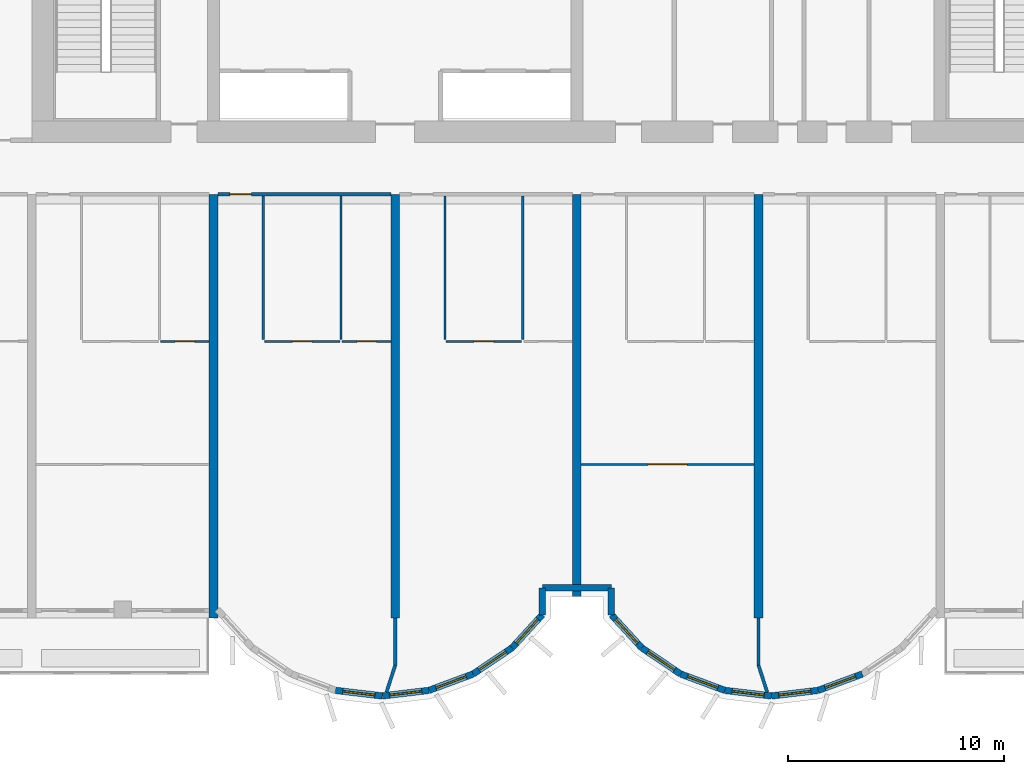
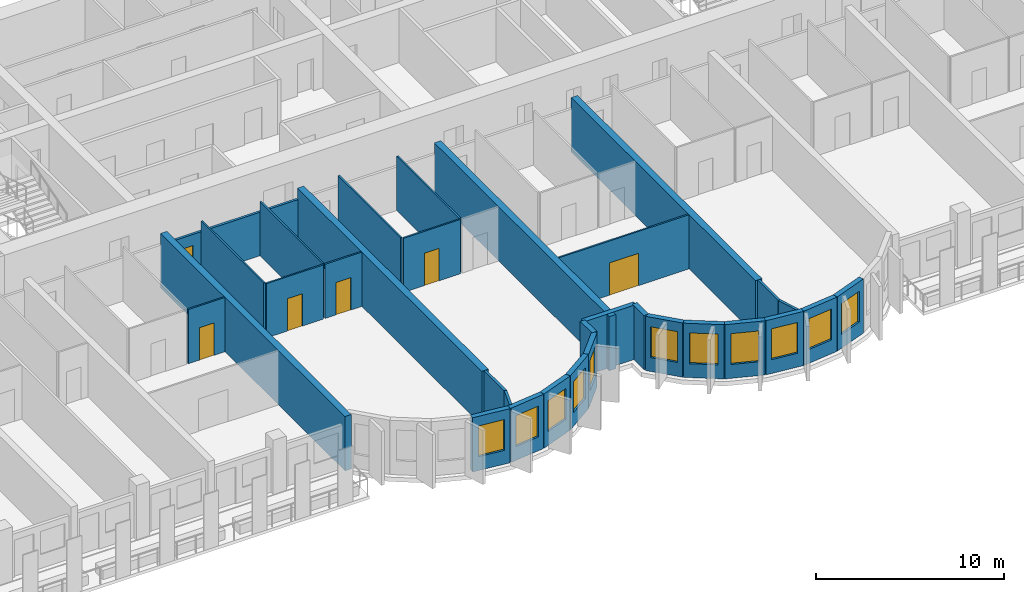
# One storey, part 4 of 15: 32 walls, 11 windows, 6 doors, 17 openings.
"""IFC4 building model written with IfcOpenShell, lengths in metres."""

import ifcopenshell
import ifcopenshell.guid

model = None  # the IFC model being written
_history = None  # IfcOwnerHistory: only IFC2X3 demands one
_inside = {}  # id of a spatial element -> (the spatial element, [elements in it])
_under = {}  # id of a project, library or spatial element -> (it, [spatial elements below it])
_declared = {}  # id of a project -> (the project, [libraries it declares])
_typed = {}  # id of a type object -> (the type object, [elements of that type])
_made_of = {}  # id of a material, layer set ... -> (it, [elements and type objects made of it])


def new_model(schema):
    """Start an empty IFC model of exactly this schema.

    Asked for "IFC4X3", IfcOpenShell would pick the latest addendum, in which some entities
    have other attributes; the version numbers below select the first issue.
    IFC2X3 requires an IfcOwnerHistory on every rooted entity: one is made here for all.
    """
    global model, _history
    if schema == "IFC4X3":
        model = ifcopenshell.file(schema_version=(4, 3, 0, 0))
    else:
        model = ifcopenshell.file(schema=schema)
    _inside.clear()
    _under.clear()
    _declared.clear()
    _typed.clear()
    _made_of.clear()
    _history = None
    if model.schema == "IFC2X3":
        org = make("IfcOrganization", Name="unknown")
        user = make(
            "IfcPersonAndOrganization",
            ThePerson=make("IfcPerson", FamilyName="unknown"),
            TheOrganization=org,
        )
        app = make(
            "IfcApplication",
            ApplicationDeveloper=org,
            Version="unknown",
            ApplicationFullName="unknown",
            ApplicationIdentifier="unknown",
        )
        _history = make(
            "IfcOwnerHistory",
            OwningUser=user,
            OwningApplication=app,
            ChangeAction="ADDED",
            CreationDate=0,
        )
    return model


def make(cls, **values):
    """One entity of the class cls with the attributes given. An attribute that is None is left unset."""
    return model.create_entity(
        cls, **{name: value for name, value in values.items() if value is not None}
    )


def rooted(cls, **values):
    """An entity with a GlobalId (a new one), such as an element, a storey or a relation."""
    return make(cls, GlobalId=ifcopenshell.guid.new(), OwnerHistory=_history, **values)


def si_unit(unit_type, name, prefix=None):
    """IfcSIUnit, for example si_unit("LENGTHUNIT", "METRE", prefix="MILLI")."""
    return make("IfcSIUnit", UnitType=unit_type, Prefix=prefix, Name=name)


def assignment(units):
    """IfcUnitAssignment: the units of a project."""
    return None if units is None else make("IfcUnitAssignment", Units=units)


def point(xyz):
    """IfcCartesianPoint."""
    return None if xyz is None else make("IfcCartesianPoint", Coordinates=xyz)


def direction(xyz):
    """IfcDirection."""
    return None if xyz is None else make("IfcDirection", DirectionRatios=xyz)


def frame(location, z_axis=None, x_axis=None):
    """IfcAxis2Placement3D, a coordinate frame: its origin and axes. An axis left out is left unset."""
    return make(
        "IfcAxis2Placement3D",
        Location=point(location),
        Axis=direction(z_axis),
        RefDirection=direction(x_axis),
    )


def frame_2d(location, x_axis=None):
    """IfcAxis2Placement2D, a coordinate frame in the plane: its origin and x axis."""
    return make(
        "IfcAxis2Placement2D", Location=point(location), RefDirection=direction(x_axis)
    )


def origin():
    """The frame at (0, 0, 0) with its axes left unset."""
    return frame((0.0, 0.0, 0.0))


def place(relative_to, where):
    """IfcLocalPlacement: puts the frame where relative to a parent placement (None: the world)."""
    return make(
        "IfcLocalPlacement", PlacementRelTo=relative_to, RelativePlacement=where
    )


def context(
    kind, dimensions, precision=None, world=None, true_north=None, identifier=None
):
    """IfcGeometricRepresentationContext, for example the 3D "Model" context."""
    return make(
        "IfcGeometricRepresentationContext",
        ContextIdentifier=identifier,
        ContextType=kind,
        CoordinateSpaceDimension=dimensions,
        Precision=precision,
        WorldCoordinateSystem=world,
        TrueNorth=true_north,
    )


def subcontext(parent, identifier, kind, view, scale=None):
    """IfcGeometricRepresentationSubContext, for example "Body" below "Model"."""
    return make(
        "IfcGeometricRepresentationSubContext",
        ContextIdentifier=identifier,
        ContextType=kind,
        ParentContext=parent,
        TargetScale=scale,
        TargetView=view,
    )


def project(units=None, contexts=None):
    """IfcProject with its units and contexts."""
    return rooted(
        "IfcProject",
        Name="project",
        RepresentationContexts=contexts,
        UnitsInContext=assignment(units),
    )


def spatial(cls, under=None, at=None, **own):
    """A site, building, storey or space (cls), placed at a placement, below another one or the project."""
    s = rooted(cls, ObjectPlacement=at, **own)
    if under is not None:
        _under.setdefault(under.id(), (under, []))[1].append(s)
    return s


def profile(cls, at=None, kind="AREA", **sizes):
    """A parametric profile (cls). Its sizes go by their IFC names, for example OverallWidth=200.0."""
    return make(cls, ProfileType=kind, Position=at, **sizes)


def rectangle(**sizes):
    """IfcRectangleProfileDef."""
    return profile("IfcRectangleProfileDef", **sizes)


def extrude(swept, where, along, depth):
    """IfcExtrudedAreaSolid: the profile swept, set in the frame where, extruded along a direction by depth."""
    return make(
        "IfcExtrudedAreaSolid",
        SweptArea=swept,
        Position=where,
        ExtrudedDirection=direction(along),
        Depth=depth,
    )


def shape(context_of_items, identifier, shape_type, items):
    """IfcShapeRepresentation: the items that make up one representation, for example the "Body"."""
    return make(
        "IfcShapeRepresentation",
        ContextOfItems=context_of_items,
        RepresentationIdentifier=identifier,
        RepresentationType=shape_type,
        Items=items,
    )


def source(mapping_origin, context_of_items, identifier, shape_type, items):
    """IfcRepresentationMap: a shape defined once, which mapped items show again and again."""
    return make(
        "IfcRepresentationMap",
        MappingOrigin=mapping_origin,
        MappedRepresentation=shape(context_of_items, identifier, shape_type, items),
    )


def transform(
    local_origin,
    x_axis=None,
    y_axis=None,
    z_axis=None,
    scale=None,
    scale2=None,
    scale3=None,
    uniform=True,
):
    """IfcCartesianTransformationOperator3D, or its non-uniform kind. x_axis, y_axis, z_axis: its Axis1, 2, 3."""
    if uniform:
        return make(
            "IfcCartesianTransformationOperator3D",
            Axis1=direction(x_axis),
            Axis2=direction(y_axis),
            LocalOrigin=point(local_origin),
            Scale=scale,
            Axis3=direction(z_axis),
        )
    return make(
        "IfcCartesianTransformationOperator3DnonUniform",
        Axis1=direction(x_axis),
        Axis2=direction(y_axis),
        LocalOrigin=point(local_origin),
        Scale=scale,
        Axis3=direction(z_axis),
        Scale2=scale2,
        Scale3=scale3,
    )


def mapped(mapping_source, mapping_target):
    """IfcMappedItem: shows the shape of a source again, moved by a transform."""
    return make(
        "IfcMappedItem", MappingSource=mapping_source, MappingTarget=mapping_target
    )


def material(Name=None, Category=None):
    """IfcMaterial."""
    return make("IfcMaterial", Name=Name, Category=Category)


def layer(
    of_material, thickness, ventilated=None, Name=None, Category=None, Priority=None
):
    """IfcMaterialLayer: one layer of a wall or slab, of a material (None: an air gap)."""
    return make(
        "IfcMaterialLayer",
        Material=of_material,
        LayerThickness=thickness,
        IsVentilated=ventilated,
        Name=Name,
        Category=Category,
        Priority=Priority,
    )


def layer_set(layers, Name=None):
    """IfcMaterialLayerSet."""
    return make("IfcMaterialLayerSet", MaterialLayers=layers, LayerSetName=Name)


def made_of(thing, what):
    """Note that an element or type object is made of a material, layer set ...; save() writes the relation."""
    if what is not None:
        _made_of.setdefault(what.id(), (what, []))[1].append(thing)
    return thing


def type_object(cls, material=None, **own):
    """A type object (cls), such as IfcWallType, which elements share."""
    return made_of(rooted(cls, **own), material)


def element(
    cls,
    number,
    at=None,
    inside=None,
    cuts=None,
    type_object=None,
    material=None,
    context=None,
    identifier="Body",
    shape_type=None,
    held_by="IfcProductDefinitionShape",
    body=None,
    shapes=None,
    **own,
):
    """One element of the class cls, such as IfcWall. Its Tag is "e" and its number.

    at: its placement. inside: the storey or other place that contains it. cuts: it is an
    opening in that element (IfcRelVoidsElement). A single representation is given by context,
    identifier, shape_type and body (its items); several are given by shapes. held_by: the class
    of the entity that holds the representations. save() writes the other relations.
    """
    e = rooted(cls, Tag="e%d" % number, ObjectPlacement=at, **own)
    if body is not None:
        shapes = [shape(context, identifier, shape_type, body)]
    if shapes is not None:
        e.Representation = make(held_by, Representations=shapes)
    if inside is not None:
        _inside.setdefault(inside.id(), (inside, []))[1].append(e)
    if cuts is not None:
        rooted(
            "IfcRelVoidsElement", RelatingBuildingElement=cuts, RelatedOpeningElement=e
        )
    if type_object is not None:
        _typed.setdefault(type_object.id(), (type_object, []))[1].append(e)
    return made_of(e, material)


def fill(opening, filler):
    """IfcRelFillsElement: the door or window that sits in an opening."""
    return rooted(
        "IfcRelFillsElement",
        RelatingOpeningElement=opening,
        RelatedBuildingElement=filler,
    )


def aggregate(whole, parts):
    """IfcRelAggregates: a whole, such as a stair, and the parts it consists of."""
    return rooted("IfcRelAggregates", RelatingObject=whole, RelatedObjects=parts)


def save(model, path):
    """Write the relations noted so far, then the file.

    IfcRelAggregates (storeys below a building ...), IfcRelContainedInSpatialStructure (elements
    in a storey), IfcRelDefinesByType, IfcRelAssociatesMaterial and IfcRelDeclares: one each for
    every whole, place, type object, material and project.
    """
    for whole, parts in _under.values():
        aggregate(whole, parts)
    for where, things in _inside.values():
        rooted(
            "IfcRelContainedInSpatialStructure",
            RelatedElements=things,
            RelatingStructure=where,
        )
    for kind, things in _typed.values():
        rooted("IfcRelDefinesByType", RelatedObjects=things, RelatingType=kind)
    for what, things in _made_of.values():
        rooted("IfcRelAssociatesMaterial", RelatedObjects=things, RelatingMaterial=what)
    for by, libraries in _declared.values():
        rooted("IfcRelDeclares", RelatingContext=by, RelatedDefinitions=libraries)
    model.write(path)


model = new_model("IFC4")

# Units and contexts
model_context = context("Model", 3, precision=1e-05, world=origin(), true_north=direction((0.0, 1.0)))
body_context = subcontext(model_context, "Body", "Model", "MODEL_VIEW")
ifc_project = project(units=[si_unit("LENGTHUNIT", "METRE"), si_unit("AREAUNIT", "SQUARE_METRE"), si_unit("VOLUMEUNIT", "CUBIC_METRE"), si_unit("PLANEANGLEUNIT", "RADIAN"), si_unit("MASSUNIT", "GRAM", prefix="KILO")], contexts=[model_context])

# Site, building, storey
site_placement = place(None, origin())
site = spatial("IfcSite", under=ifc_project, at=site_placement, CompositionType="ELEMENT")
building_placement = place(site_placement, origin())
building = spatial("IfcBuilding", under=site, at=building_placement, Name="Vanashikhar Sky Hotel", CompositionType="ELEMENT")
storey_placement = place(building_placement, frame((0.0, 0.0, 62.0)))
storey = spatial("IfcBuildingStorey", under=building, at=storey_placement, Name="L14", CompositionType="ELEMENT", Elevation=62.0)

# Walls
ifc_material_1 = material(Name="Concrete M80", Category="concrete")
ifc_layer_1 = layer(ifc_material_1, 0.39990234375)
ifc_layer_set_1 = layer_set([ifc_layer_1], Name="RC shear wall 400 Concrete M80")
wall_type_1 = type_object("IfcWallType", Name="RC shear wall 400 Concrete M80", PredefinedType="SHEAR", material=ifc_layer_set_1)
shared_shape_1 = source(origin(), body_context, "Body", "SweptSolid", [
    extrude(rectangle(XDim=19.60009765625, YDim=0.39990234375, at=frame_2d((9.800048828125, 0.0))), origin(), (0.0, 0.0, 1.0), 3.52001953125),
])
for number, where, z_axis, x_axis, name in (
    (1, (33.60009765625, 0.0, 0.0), (0.0, 0.0, 1.0), (0.0, 1.0, 0.0), "CW-L14-XW05-1"),
    (2, (42.0, 0.0, 0.0), (0.0, 0.0, 1.0), (0.0, 1.0, 0.0), "CW-L14-XW06-1"),
    (3, (58.800048828125, 0.0, 0.0), (0.0, 0.0, 1.0), (0.0, 1.0, 0.0), "CW-L14-XW08-1"),
):
    element("IfcWall", number, at=place(storey_placement, frame(where, z_axis=z_axis, x_axis=x_axis)), inside=storey, type_object=wall_type_1, Name=name, PredefinedType="SHEAR", context=body_context, shape_type="MappedRepresentation", body=[
        mapped(shared_shape_1, transform((0.0, 0.0, 0.0), scale=1.0)),
    ])
shared_shape_2 = source(origin(), body_context, "Body", "SweptSolid", [
    extrude(rectangle(XDim=18.60009765625, YDim=0.39990234375, at=frame_2d((9.300048828125, 0.0))), origin(), (0.0, 0.0, 1.0), 3.52001953125),
])
wall_1_placement = place(storey_placement, frame((50.39990234375, 1.0, 0.0), z_axis=(0.0, 0.0, 1.0), x_axis=(0.0, 1.0, 0.0)))
element("IfcWall", 4, at=wall_1_placement, inside=storey, type_object=wall_type_1, Name="CW-L14-XW07-1", PredefinedType="SHEAR", context=body_context, shape_type="MappedRepresentation", body=[
    mapped(shared_shape_2, transform((0.0, 0.0, 0.0), scale=1.0)),
])

# Wall, opening, window
ifc_material_2 = material(Name="Concrete M50", Category="concrete")
ifc_layer_2 = layer(ifc_material_2, 0.300048828125)
ifc_layer_set_2 = layer_set([ifc_layer_2], Name="Lobe wall 300")
wall_type_2 = type_object("IfcWallType", Name="Lobe wall 300", PredefinedType="SOLIDWALL", material=ifc_layer_set_2)
shared_shape_3 = source(origin(), body_context, "Body", "SweptSolid", [
    extrude(rectangle(XDim=2.17578125, YDim=0.300048828125, at=frame_2d((1.087890625, 0.0))), origin(), (0.0, 0.0, 1.0), 3.52001953125),
])
wall_2_placement = place(storey_placement, frame((45.59912109375, -2.58349609375, 0.0), z_axis=(0.0, 0.0, 1.0), x_axis=(0.829625727223, 0.558319937607, 0.0)))
wall_2 = element("IfcWall", 5, at=wall_2_placement, inside=storey, type_object=wall_type_2, Name="Lobe wall", PredefinedType="SOLIDWALL", context=body_context, shape_type="MappedRepresentation", body=[
    mapped(shared_shape_3, transform((0.0, 0.0, 0.0), scale=1.0)),
])
shared_shape_4 = source(origin(), body_context, "Body", "SweptSolid", [
    extrude(rectangle(XDim=1.5, YDim=2.0, at=frame_2d((0.75, 1.0))), frame((0.0, 0.16015625, 0.0), z_axis=(0.0, -1.0, 0.0), x_axis=(1.0, 0.0, 0.0)), (0.0, 0.0, 1.0), 0.320068359375),
])
opening_1_placement = place(wall_2_placement, frame((0.337890625, 0.0, 0.89990234375)))
opening_1 = element("IfcOpeningElement", 6, at=opening_1_placement, cuts=wall_2, Name="Opening WN-2", PredefinedType="OPENING", context=body_context, shape_type="MappedRepresentation", body=[
    mapped(shared_shape_4, transform((0.0, 0.0, 0.0), scale=1.0)),
])
ifc_material_3 = material(Name="Glass", Category="glass")
window_type = type_object("IfcWindowType", Name="Lobe window 1500 x 2000", PartitioningType="SINGLE_PANEL", PredefinedType="WINDOW", material=ifc_material_3)
shared_shape_5 = source(origin(), body_context, "Body", "SweptSolid", [
    extrude(rectangle(XDim=1.5, YDim=2.0, at=frame_2d((0.75, 1.0))), frame((0.0, 0.030029296875, 0.0), z_axis=(0.0, -1.0, 0.0), x_axis=(1.0, 0.0, 0.0)), (0.0, 0.0, 1.0), 0.06005859375),
])
window_1_placement = place(opening_1_placement, origin())
window_1 = element("IfcWindow", 7, at=window_1_placement, inside=storey, type_object=window_type, Name="Window WN-2", OverallHeight=2.0, OverallWidth=1.5, PartitioningType="SINGLE_PANEL", PredefinedType="WINDOW", context=body_context, shape_type="MappedRepresentation", body=[
    mapped(shared_shape_5, transform((0.0, 0.0, 0.0), scale=1.0)),
])
fill(opening_1, window_1)

wall_3_placement = place(storey_placement, frame((53.395751953125, -1.36865234375, 0.0), z_axis=(0.0, 0.0, 1.0), x_axis=(0.829590746428, -0.558371913192, 0.0)))
wall_3 = element("IfcWall", 8, at=wall_3_placement, inside=storey, type_object=wall_type_2, Name="Lobe wall", PredefinedType="SOLIDWALL", context=body_context, shape_type="MappedRepresentation", body=[
    mapped(shared_shape_3, transform((0.0, 0.0, 0.0), scale=1.0)),
])
opening_2_placement = place(wall_3_placement, frame((0.337890625, 0.0, 0.89990234375)))
opening_2 = element("IfcOpeningElement", 9, at=opening_2_placement, cuts=wall_3, Name="Opening WN-2", PredefinedType="OPENING", context=body_context, shape_type="MappedRepresentation", body=[
    mapped(shared_shape_4, transform((0.0, 0.0, 0.0), scale=1.0)),
])
window_2_placement = place(opening_2_placement, origin())
window_2 = element("IfcWindow", 10, at=window_2_placement, inside=storey, type_object=window_type, Name="Window WN-2", OverallHeight=2.0, OverallWidth=1.5, PartitioningType="SINGLE_PANEL", PredefinedType="WINDOW", context=body_context, shape_type="MappedRepresentation", body=[
    mapped(shared_shape_5, transform((0.0, 0.0, 0.0), scale=1.0)),
])
fill(opening_2, window_2)

wall_4_placement = place(storey_placement, frame((55.20068359375, -2.58349609375, 0.0), z_axis=(0.0, 0.0, 1.0), x_axis=(0.93754555999, -0.347862505801, 0.0)))
wall_4 = element("IfcWall", 11, at=wall_4_placement, inside=storey, type_object=wall_type_2, Name="Lobe wall", PredefinedType="SOLIDWALL", context=body_context, shape_type="MappedRepresentation", body=[
    mapped(shared_shape_3, transform((0.0, 0.0, 0.0), scale=1.0)),
])
opening_3_placement = place(wall_4_placement, frame((0.337890625, 0.0, 0.89990234375)))
opening_3 = element("IfcOpeningElement", 12, at=opening_3_placement, cuts=wall_4, Name="Opening WN-2", PredefinedType="OPENING", context=body_context, shape_type="MappedRepresentation", body=[
    mapped(shared_shape_4, transform((0.0, 0.0, 0.0), scale=1.0)),
])
window_3_placement = place(opening_3_placement, origin())
window_3 = element("IfcWindow", 13, at=window_3_placement, inside=storey, type_object=window_type, Name="Window WN-2", OverallHeight=2.0, OverallWidth=1.5, PartitioningType="SINGLE_PANEL", PredefinedType="WINDOW", context=body_context, shape_type="MappedRepresentation", body=[
    mapped(shared_shape_5, transform((0.0, 0.0, 0.0), scale=1.0)),
])
fill(opening_3, window_3)

shared_shape_6 = source(origin(), body_context, "Body", "SweptSolid", [
    extrude(rectangle(XDim=2.174560546875, YDim=0.300048828125, at=frame_2d((1.08740234375, 0.0))), origin(), (0.0, 0.0, 1.0), 3.52001953125),
])
wall_5_placement = place(storey_placement, frame((39.240478515625, -3.34033203125, 0.0), z_axis=(0.0, 0.0, 1.0), x_axis=(0.993001132889, -0.118104826659, 0.0)))
wall_5 = element("IfcWall", 14, at=wall_5_placement, inside=storey, type_object=wall_type_2, Name="Lobe wall", PredefinedType="SOLIDWALL", context=body_context, shape_type="MappedRepresentation", body=[
    mapped(shared_shape_6, transform((0.0, 0.0, 0.0), scale=1.0)),
])
opening_4_placement = place(wall_5_placement, frame((0.33740234375, 0.0, 0.89990234375)))
opening_4 = element("IfcOpeningElement", 15, at=opening_4_placement, cuts=wall_5, Name="Opening WN-2", PredefinedType="OPENING", context=body_context, shape_type="MappedRepresentation", body=[
    mapped(shared_shape_4, transform((0.0, 0.0, 0.0), scale=1.0)),
])
window_4_placement = place(opening_4_placement, origin())
window_4 = element("IfcWindow", 16, at=window_4_placement, inside=storey, type_object=window_type, Name="Window WN-2", OverallHeight=2.0, OverallWidth=1.5, PartitioningType="SINGLE_PANEL", PredefinedType="WINDOW", context=body_context, shape_type="MappedRepresentation", body=[
    mapped(shared_shape_5, transform((0.0, 0.0, 0.0), scale=1.0)),
])
fill(opening_4, window_4)

wall_6_placement = place(storey_placement, frame((57.240478515625, -3.34033203125, 0.0), z_axis=(0.0, 0.0, 1.0), x_axis=(0.993001132889, -0.118104826659, 0.0)))
wall_6 = element("IfcWall", 17, at=wall_6_placement, inside=storey, type_object=wall_type_2, Name="Lobe wall", PredefinedType="SOLIDWALL", context=body_context, shape_type="MappedRepresentation", body=[
    mapped(shared_shape_6, transform((0.0, 0.0, 0.0), scale=1.0)),
])
opening_5_placement = place(wall_6_placement, frame((0.33740234375, 0.0, 0.89990234375)))
opening_5 = element("IfcOpeningElement", 18, at=opening_5_placement, cuts=wall_6, Name="Opening WN-2", PredefinedType="OPENING", context=body_context, shape_type="MappedRepresentation", body=[
    mapped(shared_shape_4, transform((0.0, 0.0, 0.0), scale=1.0)),
])
window_5_placement = place(opening_5_placement, origin())
window_5 = element("IfcWindow", 19, at=window_5_placement, inside=storey, type_object=window_type, Name="Window WN-2", OverallHeight=2.0, OverallWidth=1.5, PartitioningType="SINGLE_PANEL", PredefinedType="WINDOW", context=body_context, shape_type="MappedRepresentation", body=[
    mapped(shared_shape_5, transform((0.0, 0.0, 0.0), scale=1.0)),
])
fill(opening_5, window_5)

shared_shape_7 = source(origin(), body_context, "Body", "SweptSolid", [
    extrude(rectangle(XDim=2.1748046875, YDim=0.300048828125, at=frame_2d((1.08740234375, 0.0))), origin(), (0.0, 0.0, 1.0), 3.52001953125),
])
wall_7_placement = place(storey_placement, frame((41.39990234375, -3.59716796875, 0.0), z_axis=(0.0, 0.0, 1.0), x_axis=(0.993002698611, 0.118091661648, 0.0)))
wall_7 = element("IfcWall", 20, at=wall_7_placement, inside=storey, type_object=wall_type_2, Name="Lobe wall", PredefinedType="SOLIDWALL", context=body_context, shape_type="MappedRepresentation", body=[
    mapped(shared_shape_7, transform((0.0, 0.0, 0.0), scale=1.0)),
])
opening_6_placement = place(wall_7_placement, frame((0.33740234375, 0.0, 0.89990234375)))
opening_6 = element("IfcOpeningElement", 21, at=opening_6_placement, cuts=wall_7, Name="Opening WN-2", PredefinedType="OPENING", context=body_context, shape_type="MappedRepresentation", body=[
    mapped(shared_shape_4, transform((0.0, 0.0, 0.0), scale=1.0)),
])
window_6_placement = place(opening_6_placement, origin())
window_6 = element("IfcWindow", 22, at=window_6_placement, inside=storey, type_object=window_type, Name="Window WN-2", OverallHeight=2.0, OverallWidth=1.5, PartitioningType="SINGLE_PANEL", PredefinedType="WINDOW", context=body_context, shape_type="MappedRepresentation", body=[
    mapped(shared_shape_5, transform((0.0, 0.0, 0.0), scale=1.0)),
])
fill(opening_6, window_6)

wall_8_placement = place(storey_placement, frame((59.39990234375, -3.59716796875, 0.0), z_axis=(0.0, 0.0, 1.0), x_axis=(0.993002698611, 0.118091661648, 0.0)))
wall_8 = element("IfcWall", 23, at=wall_8_placement, inside=storey, type_object=wall_type_2, Name="Lobe wall", PredefinedType="SOLIDWALL", context=body_context, shape_type="MappedRepresentation", body=[
    mapped(shared_shape_7, transform((0.0, 0.0, 0.0), scale=1.0)),
])
opening_7_placement = place(wall_8_placement, frame((0.33740234375, 0.0, 0.89990234375)))
opening_7 = element("IfcOpeningElement", 24, at=opening_7_placement, cuts=wall_8, Name="Opening WN-2", PredefinedType="OPENING", context=body_context, shape_type="MappedRepresentation", body=[
    mapped(shared_shape_4, transform((0.0, 0.0, 0.0), scale=1.0)),
])
window_7_placement = place(opening_7_placement, origin())
window_7 = element("IfcWindow", 25, at=window_7_placement, inside=storey, type_object=window_type, Name="Window WN-2", OverallHeight=2.0, OverallWidth=1.5, PartitioningType="SINGLE_PANEL", PredefinedType="WINDOW", context=body_context, shape_type="MappedRepresentation", body=[
    mapped(shared_shape_5, transform((0.0, 0.0, 0.0), scale=1.0)),
])
fill(opening_7, window_7)

shared_shape_8 = source(origin(), body_context, "Body", "SweptSolid", [
    extrude(rectangle(XDim=2.175537109375, YDim=0.300048828125, at=frame_2d((1.087890625, 0.0))), origin(), (0.0, 0.0, 1.0), 3.52001953125),
])
wall_9_placement = place(storey_placement, frame((43.5595703125, -3.34033203125, 0.0), z_axis=(0.0, 0.0, 1.0), x_axis=(0.937531979054, 0.347899106424, 0.0)))
wall_9 = element("IfcWall", 26, at=wall_9_placement, inside=storey, type_object=wall_type_2, Name="Lobe wall", PredefinedType="SOLIDWALL", context=body_context, shape_type="MappedRepresentation", body=[
    mapped(shared_shape_8, transform((0.0, 0.0, 0.0), scale=1.0)),
])
opening_8_placement = place(wall_9_placement, frame((0.337890625, 0.0, 0.89990234375)))
opening_8 = element("IfcOpeningElement", 27, at=opening_8_placement, cuts=wall_9, Name="Opening WN-2", PredefinedType="OPENING", context=body_context, shape_type="MappedRepresentation", body=[
    mapped(shared_shape_4, transform((0.0, 0.0, 0.0), scale=1.0)),
])
window_8_placement = place(opening_8_placement, origin())
window_8 = element("IfcWindow", 28, at=window_8_placement, inside=storey, type_object=window_type, Name="Window WN-2", OverallHeight=2.0, OverallWidth=1.5, PartitioningType="SINGLE_PANEL", PredefinedType="WINDOW", context=body_context, shape_type="MappedRepresentation", body=[
    mapped(shared_shape_5, transform((0.0, 0.0, 0.0), scale=1.0)),
])
fill(opening_8, window_8)

wall_10_placement = place(storey_placement, frame((61.5595703125, -3.34033203125, 0.0), z_axis=(0.0, 0.0, 1.0), x_axis=(0.937531979054, 0.347899106424, 0.0)))
wall_10 = element("IfcWall", 29, at=wall_10_placement, inside=storey, type_object=wall_type_2, Name="Lobe wall", PredefinedType="SOLIDWALL", context=body_context, shape_type="MappedRepresentation", body=[
    mapped(shared_shape_8, transform((0.0, 0.0, 0.0), scale=1.0)),
])
opening_9_placement = place(wall_10_placement, frame((0.337890625, 0.0, 0.89990234375)))
opening_9 = element("IfcOpeningElement", 30, at=opening_9_placement, cuts=wall_10, Name="Opening WN-2", PredefinedType="OPENING", context=body_context, shape_type="MappedRepresentation", body=[
    mapped(shared_shape_4, transform((0.0, 0.0, 0.0), scale=1.0)),
])
window_9_placement = place(opening_9_placement, origin())
window_9 = element("IfcWindow", 31, at=window_9_placement, inside=storey, type_object=window_type, Name="Window WN-2", OverallHeight=2.0, OverallWidth=1.5, PartitioningType="SINGLE_PANEL", PredefinedType="WINDOW", context=body_context, shape_type="MappedRepresentation", body=[
    mapped(shared_shape_5, transform((0.0, 0.0, 0.0), scale=1.0)),
])
fill(opening_9, window_9)

shared_shape_9 = source(origin(), body_context, "Body", "SweptSolid", [
    extrude(rectangle(XDim=2.066650390625, YDim=0.300048828125, at=frame_2d((1.033203125, 0.0))), origin(), (0.0, 0.0, 1.0), 3.52001953125),
])
wall_11_placement = place(storey_placement, frame((47.404296875, -1.36865234375, 0.0), z_axis=(0.0, 0.0, 1.0), x_axis=(0.675355439877, 0.737492393065, 0.0)))
wall_11 = element("IfcWall", 32, at=wall_11_placement, inside=storey, type_object=wall_type_2, Name="Lobe wall", PredefinedType="SOLIDWALL", context=body_context, shape_type="MappedRepresentation", body=[
    mapped(shared_shape_9, transform((0.0, 0.0, 0.0), scale=1.0)),
])
opening_10_placement = place(wall_11_placement, frame((0.283447265625, 0.0, 0.89990234375)))
opening_10 = element("IfcOpeningElement", 33, at=opening_10_placement, cuts=wall_11, Name="Opening WN-2", PredefinedType="OPENING", context=body_context, shape_type="MappedRepresentation", body=[
    mapped(shared_shape_4, transform((0.0, 0.0, 0.0), scale=1.0)),
])
window_10_placement = place(opening_10_placement, origin())
window_10 = element("IfcWindow", 34, at=window_10_placement, inside=storey, type_object=window_type, Name="Window WN-2", OverallHeight=2.0, OverallWidth=1.5, PartitioningType="SINGLE_PANEL", PredefinedType="WINDOW", context=body_context, shape_type="MappedRepresentation", body=[
    mapped(shared_shape_5, transform((0.0, 0.0, 0.0), scale=1.0)),
])
fill(opening_10, window_10)

wall_12_placement = place(storey_placement, frame((52.0, 0.155517578125, 0.0), z_axis=(0.0, 0.0, 1.0), x_axis=(0.675355439877, -0.737492393065, 0.0)))
wall_12 = element("IfcWall", 35, at=wall_12_placement, inside=storey, type_object=wall_type_2, Name="Lobe wall", PredefinedType="SOLIDWALL", context=body_context, shape_type="MappedRepresentation", body=[
    mapped(shared_shape_9, transform((0.0, 0.0, 0.0), scale=1.0)),
])
opening_11_placement = place(wall_12_placement, frame((0.283447265625, 0.0, 0.89990234375)))
opening_11 = element("IfcOpeningElement", 36, at=opening_11_placement, cuts=wall_12, Name="Opening WN-2", PredefinedType="OPENING", context=body_context, shape_type="MappedRepresentation", body=[
    mapped(shared_shape_4, transform((0.0, 0.0, 0.0), scale=1.0)),
])
window_11_placement = place(opening_11_placement, origin())
window_11 = element("IfcWindow", 37, at=window_11_placement, inside=storey, type_object=window_type, Name="Window WN-2", OverallHeight=2.0, OverallWidth=1.5, PartitioningType="SINGLE_PANEL", PredefinedType="WINDOW", context=body_context, shape_type="MappedRepresentation", body=[
    mapped(shared_shape_5, transform((0.0, 0.0, 0.0), scale=1.0)),
])
fill(opening_11, window_11)

# Walls
shared_shape_10 = source(origin(), body_context, "Body", "SweptSolid", [
    extrude(rectangle(XDim=1.244384765625, YDim=0.300048828125, at=frame_2d((0.6220703125, 0.0))), origin(), (0.0, 0.0, 1.0), 3.52001953125),
])
for number, where, z_axis, x_axis, name in (
    (38, (48.800048828125, 0.155517578125, 0.0), (0.0, 0.0, 1.0), (0.0, 1.0, 0.0), "Groove wall"),
    (39, (52.0, 1.39990234375, 0.0), (0.0, 0.0, 1.0), (0.0, -1.0, 0.0), "Groove wall"),
):
    element("IfcWall", number, at=place(storey_placement, frame(where, z_axis=z_axis, x_axis=x_axis)), inside=storey, type_object=wall_type_2, Name=name, PredefinedType="SOLIDWALL", context=body_context, shape_type="MappedRepresentation", body=[
        mapped(shared_shape_10, transform((0.0, 0.0, 0.0), scale=1.0)),
    ])
shared_shape_11 = source(origin(), body_context, "Body", "SweptSolid", [
    extrude(rectangle(XDim=3.199951171875, YDim=0.300048828125, at=frame_2d((1.60009765625, 0.0))), origin(), (0.0, 0.0, 1.0), 3.52001953125),
])
wall_13_placement = place(storey_placement, frame((48.800048828125, 1.39990234375, 0.0), z_axis=(0.0, 0.0, 1.0), x_axis=(1.0, 0.0, 0.0)))
element("IfcWall", 40, at=wall_13_placement, inside=storey, type_object=wall_type_2, Name="Groove wall", PredefinedType="SOLIDWALL", context=body_context, shape_type="MappedRepresentation", body=[
    mapped(shared_shape_11, transform((0.0, 0.0, 0.0), scale=1.0)),
])
ifc_material_4 = material(Name="Gypsum plasterboard partition")
ifc_layer_3 = layer(ifc_material_4, 0.14990234375)
ifc_layer_set_3 = layer_set([ifc_layer_3], Name="Corridor and demising partition 150")
wall_type_3 = type_object("IfcWallType", Name="Corridor and demising partition 150", PredefinedType="PARTITIONING", material=ifc_layer_set_3)
shared_shape_12 = source(origin(), body_context, "Body", "SweptSolid", [
    extrude(rectangle(XDim=2.177978515625, YDim=0.14990234375, at=frame_2d((1.0888671875, 0.0))), origin(), (0.0, 0.0, 1.0), 3.52001953125),
])
for number, where, z_axis, x_axis, name in (
    (41, (42.0, -2.177978515625, 0.0), (0.0, 0.0, 1.0), (0.0, 1.0, 0.0), "W-L14-PW068"),
    (42, (58.800048828125, -2.177978515625, 0.0), (0.0, 0.0, 1.0), (0.0, 1.0, 0.0), "W-L14-PW069"),
):
    element("IfcWall", number, at=place(storey_placement, frame(where, z_axis=z_axis, x_axis=x_axis)), inside=storey, type_object=wall_type_3, Name=name, PredefinedType="PARTITIONING", context=body_context, shape_type="MappedRepresentation", body=[
        mapped(shared_shape_12, transform((0.0, 0.0, 0.0), scale=1.0)),
    ])

# Wall, opening, door
ifc_layer_4 = layer(ifc_material_4, 0.10009765625)
ifc_layer_set_4 = layer_set([ifc_layer_4], Name="Wet room partition 100")
wall_type_4 = type_object("IfcWallType", Name="Wet room partition 100", PredefinedType="PARTITIONING", material=ifc_layer_set_4)
shared_shape_13 = source(origin(), body_context, "Body", "SweptSolid", [
    extrude(rectangle(XDim=3.5, YDim=0.10009765625, at=frame_2d((1.75, 0.0))), origin(), (0.0, 0.0, 1.0), 3.52001953125),
])
wall_14_placement = place(storey_placement, frame((35.949951171875, 12.800048828125, 0.0), z_axis=(0.0, 0.0, 1.0), x_axis=(1.0, 0.0, 0.0)))
wall_14 = element("IfcWall", 43, at=wall_14_placement, inside=storey, type_object=wall_type_4, Name="W-L14-PW026", PredefinedType="PARTITIONING", context=body_context, shape_type="MappedRepresentation", body=[
    mapped(shared_shape_13, transform((0.0, 0.0, 0.0), scale=1.0)),
])
shared_shape_14 = source(origin(), body_context, "Body", "SweptSolid", [
    extrude(rectangle(XDim=0.89990234375, YDim=2.10009765625, at=frame_2d((0.449951171875, 1.050048828125))), frame((0.0, 0.06005859375, 0.0), z_axis=(0.0, -1.0, 0.0), x_axis=(1.0, 0.0, 0.0)), (0.0, 0.0, 1.0), 0.1201171875),
])
opening_12_placement = place(wall_14_placement, frame((1.300048828125, 0.0, 0.0)))
opening_12 = element("IfcOpeningElement", 44, at=opening_12_placement, cuts=wall_14, Name="Opening D-02", PredefinedType="OPENING", context=body_context, shape_type="MappedRepresentation", body=[
    mapped(shared_shape_14, transform((0.0, 0.0, 0.0), scale=1.0)),
])
ifc_material_5 = material(Name="Timber door", Category="wood")
door_type_1 = type_object("IfcDoorType", Name="Internal door 900", OperationType="NOTDEFINED", PredefinedType="DOOR", material=ifc_material_5)
shared_shape_15 = source(origin(), body_context, "Body", "SweptSolid", [
    extrude(rectangle(XDim=0.89990234375, YDim=2.10009765625, at=frame_2d((0.449951171875, 1.050048828125))), frame((0.0, 0.02490234375, 0.0), z_axis=(0.0, -1.0, 0.0), x_axis=(1.0, 0.0, 0.0)), (0.0, 0.0, 1.0), 0.050048828125),
])
door_1_placement = place(opening_12_placement, origin())
door_1 = element("IfcDoor", 45, at=door_1_placement, inside=storey, type_object=door_type_1, Name="D-L14-015", OperationType="SINGLE_SWING_LEFT", OverallHeight=2.10009765625, OverallWidth=0.89990234375, PredefinedType="DOOR", context=body_context, shape_type="MappedRepresentation", body=[
    mapped(shared_shape_15, transform((0.0, 0.0, 0.0), scale=1.0)),
])
fill(opening_12, door_1)

wall_15_placement = place(storey_placement, frame((44.35009765625, 12.800048828125, 0.0), z_axis=(0.0, 0.0, 1.0), x_axis=(1.0, 0.0, 0.0)))
wall_15 = element("IfcWall", 46, at=wall_15_placement, inside=storey, type_object=wall_type_4, Name="W-L14-PW031", PredefinedType="PARTITIONING", context=body_context, shape_type="MappedRepresentation", body=[
    mapped(shared_shape_13, transform((0.0, 0.0, 0.0), scale=1.0)),
])
opening_13_placement = place(wall_15_placement, frame((1.300048828125, 0.0, 0.0)))
opening_13 = element("IfcOpeningElement", 47, at=opening_13_placement, cuts=wall_15, Name="Opening D-02", PredefinedType="OPENING", context=body_context, shape_type="MappedRepresentation", body=[
    mapped(shared_shape_14, transform((0.0, 0.0, 0.0), scale=1.0)),
])
door_2_placement = place(opening_13_placement, origin())
door_2 = element("IfcDoor", 48, at=door_2_placement, inside=storey, type_object=door_type_1, Name="D-L14-018", OperationType="SINGLE_SWING_LEFT", OverallHeight=2.10009765625, OverallWidth=0.89990234375, PredefinedType="DOOR", context=body_context, shape_type="MappedRepresentation", body=[
    mapped(shared_shape_15, transform((0.0, 0.0, 0.0), scale=1.0)),
])
fill(opening_13, door_2)

# Walls
shared_shape_16 = source(origin(), body_context, "Body", "SweptSolid", [
    extrude(rectangle(XDim=1.308349609375, YDim=0.14990234375, at=frame_2d((0.654296875, 0.0))), origin(), (0.0, 0.0, 1.0), 3.52001953125),
])
for number, where, z_axis, x_axis, name in (
    (49, (41.597900390625, -3.423095703125, 0.0), (0.0, 0.0, 1.0), (0.307313512187, 0.951608325535, 0.0), "W-L14-PW068B0"),
    (50, (59.201904296875, -3.423095703125, 0.0), (0.0, 0.0, 1.0), (-0.307144529633, 0.951662880392, 0.0), "W-L14-PW069B0"),
):
    element("IfcWall", number, at=place(storey_placement, frame(where, z_axis=z_axis, x_axis=x_axis)), inside=storey, type_object=wall_type_3, Name=name, PredefinedType="PARTITIONING", context=body_context, shape_type="MappedRepresentation", body=[
        mapped(shared_shape_16, transform((0.0, 0.0, 0.0), scale=1.0)),
    ])

# Wall, opening, door
shared_shape_17 = source(origin(), body_context, "Body", "SweptSolid", [
    extrude(rectangle(XDim=8.0, YDim=0.14990234375, at=frame_2d((4.0, 0.0))), origin(), (0.0, 0.0, 1.0), 2.820068359375),
])
wall_16_placement = place(storey_placement, frame((33.800048828125, 19.60009765625, 0.0), z_axis=(0.0, 0.0, 1.0), x_axis=(1.0, 0.0, 0.0)))
wall_16 = element("IfcWall", 51, at=wall_16_placement, inside=storey, type_object=wall_type_3, Name="W-L14-PW028", PredefinedType="PARTITIONING", context=body_context, shape_type="MappedRepresentation", body=[
    mapped(shared_shape_17, transform((0.0, 0.0, 0.0), scale=1.0)),
])
shared_shape_18 = source(origin(), body_context, "Body", "SweptSolid", [
    extrude(rectangle(XDim=1.0, YDim=2.10009765625, at=frame_2d((0.5, 1.050048828125))), frame((0.0, 0.0849609375, 0.0), z_axis=(0.0, -1.0, 0.0), x_axis=(1.0, 0.0, 0.0)), (0.0, 0.0, 1.0), 0.169921875),
])
opening_14_placement = place(wall_16_placement, frame((0.550048828125, 0.0, 0.0)))
opening_14 = element("IfcOpeningElement", 52, at=opening_14_placement, cuts=wall_16, Name="Opening D-01", PredefinedType="OPENING", context=body_context, shape_type="MappedRepresentation", body=[
    mapped(shared_shape_18, transform((0.0, 0.0, 0.0), scale=1.0)),
])
ifc_material_6 = material(Name="Timber fire door", Category="wood")
door_type_2 = type_object("IfcDoorType", Name="Guest entry door 1000 FD30S", OperationType="NOTDEFINED", PredefinedType="DOOR", material=ifc_material_6)
shared_shape_19 = source(origin(), body_context, "Body", "SweptSolid", [
    extrude(rectangle(XDim=1.0, YDim=2.10009765625, at=frame_2d((0.5, 1.050048828125))), frame((0.0, 0.02490234375, 0.0), z_axis=(0.0, -1.0, 0.0), x_axis=(1.0, 0.0, 0.0)), (0.0, 0.0, 1.0), 0.050048828125),
])
door_3_placement = place(opening_14_placement, origin())
door_3 = element("IfcDoor", 53, at=door_3_placement, inside=storey, type_object=door_type_2, Name="D-L14-017", OperationType="SINGLE_SWING_LEFT", OverallHeight=2.10009765625, OverallWidth=1.0, PredefinedType="DOOR", context=body_context, shape_type="MappedRepresentation", body=[
    mapped(shared_shape_19, transform((0.0, 0.0, 0.0), scale=1.0)),
])
fill(opening_14, door_3)

shared_shape_20 = source(origin(), body_context, "Body", "SweptSolid", [
    extrude(rectangle(XDim=8.0, YDim=0.10009765625, at=frame_2d((4.0, 0.0))), origin(), (0.0, 0.0, 1.0), 3.52001953125),
])
wall_17_placement = place(storey_placement, frame((50.60009765625, 7.10791015625, 0.0), z_axis=(0.0, 0.0, 1.0), x_axis=(1.0, 0.0, 0.0)))
wall_17 = element("IfcWall", 54, at=wall_17_placement, inside=storey, type_object=wall_type_4, Name="W-L14-PW038", PredefinedType="PARTITIONING", context=body_context, shape_type="MappedRepresentation", body=[
    mapped(shared_shape_20, transform((0.0, 0.0, 0.0), scale=1.0)),
])
shared_shape_21 = source(origin(), body_context, "Body", "SweptSolid", [
    extrude(rectangle(XDim=1.800048828125, YDim=2.10009765625, at=frame_2d((0.89990234375, 1.050048828125))), frame((0.0, 0.06005859375, 0.0), z_axis=(0.0, -1.0, 0.0), x_axis=(1.0, 0.0, 0.0)), (0.0, 0.0, 1.0), 0.1201171875),
])
opening_15_placement = place(wall_17_placement, frame((3.10009765625, 0.0, 0.0)))
opening_15 = element("IfcOpeningElement", 55, at=opening_15_placement, cuts=wall_17, Name="Opening D-08", PredefinedType="OPENING", context=body_context, shape_type="MappedRepresentation", body=[
    mapped(shared_shape_21, transform((0.0, 0.0, 0.0), scale=1.0)),
])
door_type_3 = type_object("IfcDoorType", Name="Double leaf door 1800", OperationType="NOTDEFINED", PredefinedType="DOOR", material=ifc_material_5)
shared_shape_22 = source(origin(), body_context, "Body", "SweptSolid", [
    extrude(rectangle(XDim=1.800048828125, YDim=2.10009765625, at=frame_2d((0.89990234375, 1.050048828125))), frame((0.0, 0.02490234375, 0.0), z_axis=(0.0, -1.0, 0.0), x_axis=(1.0, 0.0, 0.0)), (0.0, 0.0, 1.0), 0.050048828125),
])
door_4_placement = place(opening_15_placement, origin())
door_4 = element("IfcDoor", 56, at=door_4_placement, inside=storey, type_object=door_type_3, Name="D-L14-023", OperationType="DOUBLE_DOOR_SINGLE_SWING", OverallHeight=2.10009765625, OverallWidth=1.800048828125, PredefinedType="DOOR", context=body_context, shape_type="MappedRepresentation", body=[
    mapped(shared_shape_22, transform((0.0, 0.0, 0.0), scale=1.0)),
])
fill(opening_15, door_4)

# Walls
shared_shape_23 = source(origin(), body_context, "Body", "SweptSolid", [
    extrude(rectangle(XDim=6.64990234375, YDim=0.10009765625, at=frame_2d((3.324951171875, 0.0))), origin(), (0.0, 0.0, 1.0), 3.52001953125),
])
for number, where, z_axis, x_axis, name in (
    (57, (35.89990234375, 12.875, 0.0), (0.0, 0.0, 1.0), (0.0, 1.0, 0.0), "W-L14-PW024"),
    (58, (39.5, 12.875, 0.0), (0.0, 0.0, 1.0), (0.0, 1.0, 0.0), "W-L14-PW025"),
    (59, (44.300048828125, 12.875, 0.0), (0.0, 0.0, 1.0), (0.0, 1.0, 0.0), "W-L14-PW029"),
    (60, (47.89990234375, 12.875, 0.0), (0.0, 0.0, 1.0), (0.0, 1.0, 0.0), "W-L14-PW030"),
):
    element("IfcWall", number, at=place(storey_placement, frame(where, z_axis=z_axis, x_axis=x_axis)), inside=storey, type_object=wall_type_4, Name=name, PredefinedType="PARTITIONING", context=body_context, shape_type="MappedRepresentation", body=[
        mapped(shared_shape_23, transform((0.0, 0.0, 0.0), scale=1.0)),
    ])

# Wall, opening, door
shared_shape_24 = source(origin(), body_context, "Body", "SweptSolid", [
    extrude(rectangle(XDim=2.25, YDim=0.10009765625, at=frame_2d((1.125, 0.0))), origin(), (0.0, 0.0, 1.0), 3.52001953125),
])
wall_18_placement = place(storey_placement, frame((31.14990234375, 12.800048828125, 0.0), z_axis=(0.0, 0.0, 1.0), x_axis=(1.0, 0.0, 0.0)))
wall_18 = element("IfcWall", 61, at=wall_18_placement, inside=storey, type_object=wall_type_4, Name="W-L14-PW021", PredefinedType="PARTITIONING", context=body_context, shape_type="MappedRepresentation", body=[
    mapped(shared_shape_24, transform((0.0, 0.0, 0.0), scale=1.0)),
])
opening_16_placement = place(wall_18_placement, frame((0.675048828125, 0.0, 0.0)))
opening_16 = element("IfcOpeningElement", 62, at=opening_16_placement, cuts=wall_18, Name="Opening D-02", PredefinedType="OPENING", context=body_context, shape_type="MappedRepresentation", body=[
    mapped(shared_shape_14, transform((0.0, 0.0, 0.0), scale=1.0)),
])
door_5_placement = place(opening_16_placement, origin())
door_5 = element("IfcDoor", 63, at=door_5_placement, inside=storey, type_object=door_type_1, Name="D-L14-012", OperationType="SINGLE_SWING_LEFT", OverallHeight=2.10009765625, OverallWidth=0.89990234375, PredefinedType="DOOR", context=body_context, shape_type="MappedRepresentation", body=[
    mapped(shared_shape_15, transform((0.0, 0.0, 0.0), scale=1.0)),
])
fill(opening_16, door_5)

wall_19_placement = place(storey_placement, frame((39.550048828125, 12.800048828125, 0.0), z_axis=(0.0, 0.0, 1.0), x_axis=(1.0, 0.0, 0.0)))
wall_19 = element("IfcWall", 64, at=wall_19_placement, inside=storey, type_object=wall_type_4, Name="W-L14-PW027", PredefinedType="PARTITIONING", context=body_context, shape_type="MappedRepresentation", body=[
    mapped(shared_shape_24, transform((0.0, 0.0, 0.0), scale=1.0)),
])
opening_17_placement = place(wall_19_placement, frame((0.675048828125, 0.0, 0.0)))
opening_17 = element("IfcOpeningElement", 65, at=opening_17_placement, cuts=wall_19, Name="Opening D-02", PredefinedType="OPENING", context=body_context, shape_type="MappedRepresentation", body=[
    mapped(shared_shape_14, transform((0.0, 0.0, 0.0), scale=1.0)),
])
door_6_placement = place(opening_17_placement, origin())
door_6 = element("IfcDoor", 66, at=door_6_placement, inside=storey, type_object=door_type_1, Name="D-L14-016", OperationType="SINGLE_SWING_LEFT", OverallHeight=2.10009765625, OverallWidth=0.89990234375, PredefinedType="DOOR", context=body_context, shape_type="MappedRepresentation", body=[
    mapped(shared_shape_15, transform((0.0, 0.0, 0.0), scale=1.0)),
])
fill(opening_17, door_6)

save(model, "model.ifc")
